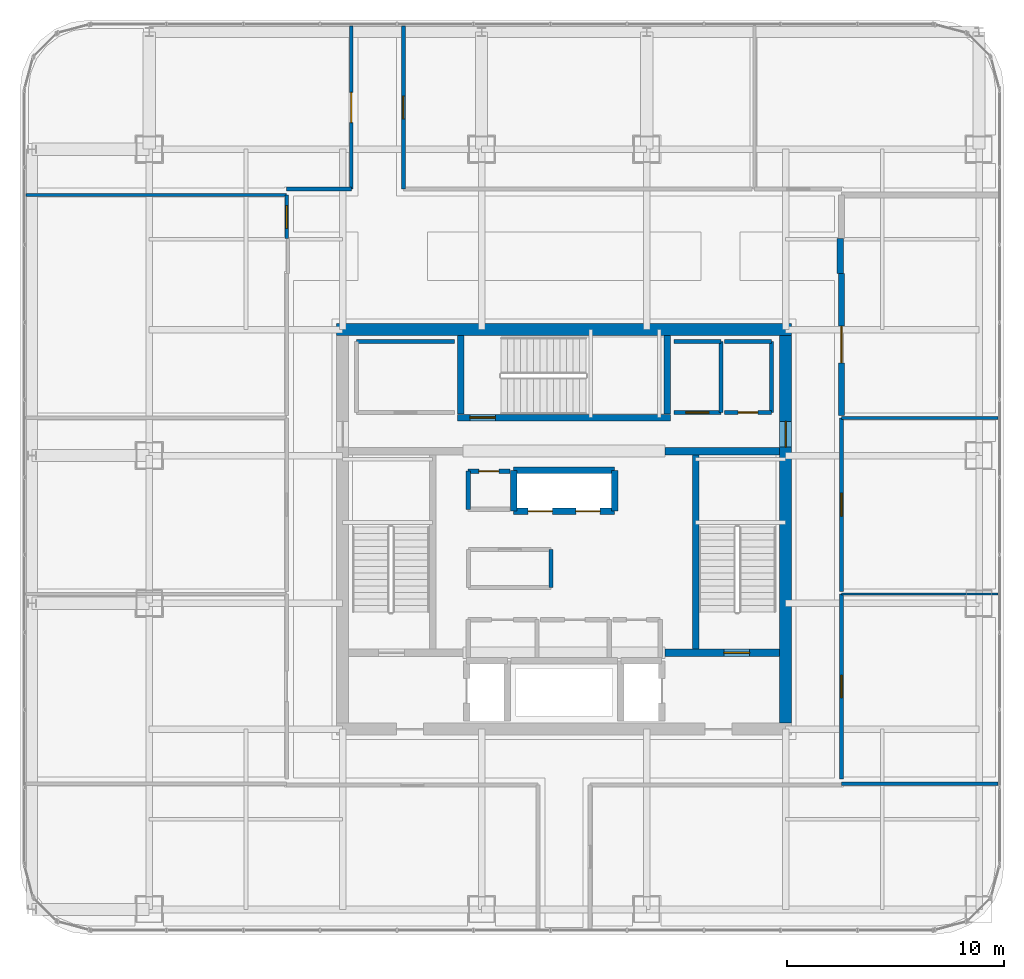
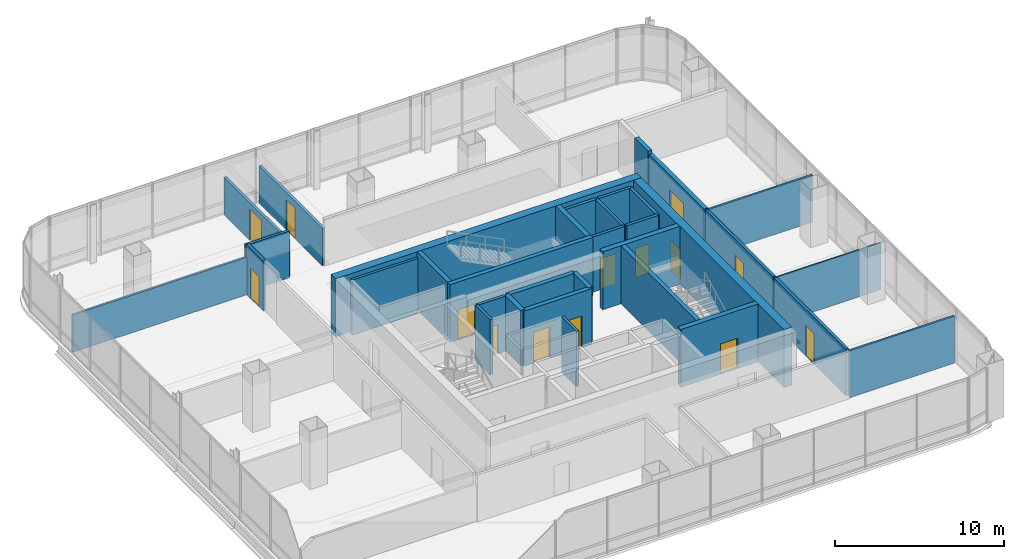
# One storey, part 35 of 41: 34 walls, 14 doors, 14 openings.
"""IFC4 building model written with IfcOpenShell, lengths in metres."""

from ifc_helpers import new_model, si_unit, direction, frame, frame_2d, origin, place, context, subcontext, project, spatial, rectangle, extrude, material, layer, layer_set, type_object, element, fill, save


model = new_model("IFC4")

# Units and contexts
model_context = context("Model", 3, precision=1e-05, world=origin(), true_north=direction((0.0, 1.0)))
body_context = subcontext(model_context, "Body", "Model", "MODEL_VIEW")
ifc_project = project(units=[si_unit("LENGTHUNIT", "METRE"), si_unit("AREAUNIT", "SQUARE_METRE"), si_unit("VOLUMEUNIT", "CUBIC_METRE"), si_unit("PLANEANGLEUNIT", "RADIAN"), si_unit("MASSUNIT", "GRAM", prefix="KILO")], contexts=[model_context])

# Site, building, storey
site_placement = place(None, origin())
site = spatial("IfcSite", under=ifc_project, at=site_placement, CompositionType="ELEMENT")
building_placement = place(site_placement, origin())
building = spatial("IfcBuilding", under=site, at=building_placement, Name="Punatoya Terracotta Tower", CompositionType="ELEMENT")
storey_placement = place(building_placement, frame((0.0, 0.0, 292.199951171875)))
storey = spatial("IfcBuildingStorey", under=building, at=storey_placement, Name="L69", CompositionType="ELEMENT", Elevation=292.199951171875)

# Wall, opening, door
ifc_material_1 = material(Name="Concrete C40/50", Category="concrete")
ifc_layer_1 = layer(ifc_material_1, 0.280029296875)
ifc_layer_set_1 = layer_set([ifc_layer_1], Name="Concrete C40/50")
wall_type_1 = type_object("IfcWallType", Name="WL-AUD-280", PredefinedType="SOLIDWALL", material=ifc_layer_set_1)
wall_1_placement = place(storey_placement, frame((12.77001953125, 5.25, 0.0), z_axis=(0.0, 0.0, 1.0), x_axis=(0.0, 1.0, 0.0)))
wall_1 = element("IfcWall", 1, at=wall_1_placement, inside=storey, type_object=wall_type_1, Name="L69 Fitness Movement Lounge Partition 42", PredefinedType="SOLIDWALL", context=body_context, shape_type="SweptSolid", body=[
    extrude(rectangle(XDim=6.52001953125, YDim=0.280029296875, at=frame_2d((3.260009765625, 0.0))), origin(), (0.0, 0.0, 1.0), 3.39404296875),
])
opening_1_placement = place(wall_1_placement, frame((2.409912109375, 0.0, 0.0)))
opening_1 = element("IfcOpeningElement", 2, at=opening_1_placement, cuts=wall_1, Name="Opening FD-D1", PredefinedType="OPENING", context=body_context, shape_type="SweptSolid", body=[
    extrude(rectangle(XDim=1.699951171875, YDim=2.300048828125, at=frame_2d((0.85009765625, 1.14990234375))), frame((0.0, 0.14990234375, 0.0), z_axis=(0.0, -1.0, 0.0), x_axis=(1.0, 0.0, 0.0)), (0.0, 0.0, 1.0), 0.300048828125),
])
ifc_material_2 = material(Name="Timber Teak Veneer Fire Leaf", Category="wood")
door_type_1 = type_object("IfcDoorType", Name="DR-DIN-1700", OperationType="NOTDEFINED", PredefinedType="DOOR", material=ifc_material_2)
door_1_placement = place(opening_1_placement, origin())
door_1 = element("IfcDoor", 3, at=door_1_placement, inside=storey, type_object=door_type_1, Name="L69 Fitness Movement Lounge Fire Door", OperationType="DOUBLE_DOOR_SINGLE_SWING", OverallHeight=2.300048828125, OverallWidth=1.699951171875, PredefinedType="DOOR", context=body_context, shape_type="SweptSolid", body=[
    extrude(rectangle(XDim=1.699951171875, YDim=2.300048828125, at=frame_2d((0.85009765625, 1.14990234375))), frame((0.0, 0.02490234375, 0.0), z_axis=(0.0, -1.0, 0.0), x_axis=(1.0, 0.0, 0.0)), (0.0, 0.0, 1.0), 0.050048828125),
])
fill(opening_1, door_1)

# Walls
wall_2_placement = place(storey_placement, frame((12.7099609375, 11.77001953125, 0.0), z_axis=(0.0, 0.0, 1.0), x_axis=(0.0, 1.0, 0.0)))
element("IfcWall", 4, at=wall_2_placement, inside=storey, type_object=wall_type_1, Name="L69 Fitness Movement Lounge Partition 43", PredefinedType="SOLIDWALL", context=body_context, shape_type="SweptSolid", body=[
    extrude(rectangle(XDim=1.60986328125, YDim=0.280029296875, at=frame_2d((0.804931640625, 0.0))), origin(), (0.0, 0.0, 1.0), 3.634033203125),
])
ifc_material_3 = material(Name="Concrete C50/60", Category="concrete")
ifc_layer_2 = layer(ifc_material_3, 0.550048828125)
ifc_layer_set_2 = layer_set([ifc_layer_2], Name="Concrete C50/60")
wall_type_2 = type_object("IfcWallType", Name="WL-COR-550", PredefinedType="SHEAR", material=ifc_layer_set_2)
wall_3_placement = place(storey_placement, frame((-10.47509765625, 9.199951171875, 0.0), z_axis=(0.0, 0.0, 1.0), x_axis=(1.0, 0.0, 0.0)))
element("IfcWall", 5, at=wall_3_placement, inside=storey, type_object=wall_type_2, Name="L69 Core Shear Wall N", PredefinedType="SHEAR", context=body_context, shape_type="SweptSolid", body=[
    extrude(rectangle(XDim=20.9501953125, YDim=0.550048828125, at=frame_2d((10.47509765625, 0.0))), origin(), (0.0, 0.0, 1.0), 4.199951171875),
])

# Wall, opening, door
wall_4_placement = place(storey_placement, frame((10.199951171875, 8.925048828125, 0.0), z_axis=(0.0, 0.0, 1.0), x_axis=(0.0, -1.0, 0.0)))
wall_4 = element("IfcWall", 6, at=wall_4_placement, inside=storey, type_object=wall_type_2, Name="L69 Core Shear Wall E", PredefinedType="SHEAR", context=body_context, shape_type="SweptSolid", body=[
    extrude(rectangle(XDim=17.85009765625, YDim=0.550048828125, at=frame_2d((8.925048828125, 0.0))), origin(), (0.0, 0.0, 1.0), 4.199951171875),
])
opening_2_placement = place(wall_4_placement, frame((3.955078125, 0.0, 0.0)))
opening_2 = element("IfcOpeningElement", 7, at=opening_2_placement, cuts=wall_4, Name="Opening SD-01", PredefinedType="OPENING", context=body_context, shape_type="SweptSolid", body=[
    extrude(rectangle(XDim=1.179931640625, YDim=2.199951171875, at=frame_2d((0.58984375, 1.10009765625))), frame((0.0, 0.284912109375, 0.0), z_axis=(0.0, -1.0, 0.0), x_axis=(1.0, 0.0, 0.0)), (0.0, 0.0, 1.0), 0.570068359375),
])
ifc_material_4 = material(Name="Galvanised Steel Pressurized Stair Fire Door", Category="steel")
door_type_2 = type_object("IfcDoorType", Name="DR-STR-1180", OperationType="NOTDEFINED", PredefinedType="DOOR", material=ifc_material_4)
door_2_placement = place(opening_2_placement, origin())
door_2 = element("IfcDoor", 8, at=door_2_placement, inside=storey, type_object=door_type_2, Name="L69 Central Lift Lobby East Fire Door", OperationType="SINGLE_SWING_RIGHT", OverallHeight=2.199951171875, OverallWidth=1.179931640625, PredefinedType="DOOR", context=body_context, shape_type="SweptSolid", body=[
    extrude(rectangle(XDim=1.179931640625, YDim=2.199951171875, at=frame_2d((0.58984375, 1.10009765625))), frame((0.0, 0.02490234375, 0.0), z_axis=(0.0, -1.0, 0.0), x_axis=(1.0, 0.0, 0.0)), (0.0, 0.0, 1.0), 0.050048828125),
])
fill(opening_2, door_2)

# Walls
ifc_material_5 = material(Name="Gypsum Fireboard + Steel Stud", Category="steel")
ifc_layer_3 = layer(ifc_material_5, 0.179931640625)
ifc_layer_set_3 = layer_set([ifc_layer_3], Name="Gypsum Fireboard + Steel Stud")
wall_type_3 = type_object("IfcWallType", Name="WL-CORR-180", PredefinedType="PARTITIONING", material=ifc_layer_set_3)
wall_5_placement = place(storey_placement, frame((-0.60009765625, -2.679931640625, 0.0), z_axis=(0.0, 0.0, 1.0), x_axis=(0.0, 1.0, 0.0)))
element("IfcWall", 9, at=wall_5_placement, inside=storey, type_object=wall_type_3, Name="L69 West Core Archive Office Partition 08", PredefinedType="PARTITIONING", context=body_context, shape_type="SweptSolid", body=[
    extrude(rectangle(XDim=1.760009765625, YDim=0.179931640625, at=frame_2d((0.8798828125, 0.0))), origin(), (0.0, 0.0, 1.0), 4.0),
])
wall_6_placement = place(storey_placement, frame((-5.050048828125, 8.64990234375, 0.0), z_axis=(0.0, 0.0, 1.0), x_axis=(-1.0, 0.0, 0.0)))
element("IfcWall", 10, at=wall_6_placement, inside=storey, type_object=wall_type_3, Name="L69 West Core Records Office Partition 15", PredefinedType="PARTITIONING", context=body_context, shape_type="SweptSolid", body=[
    extrude(rectangle(XDim=4.5, YDim=0.179931640625, at=frame_2d((2.25, 0.0))), origin(), (0.0, 0.0, 1.0), 4.0),
])

# Wall, opening, door
wall_7_placement = place(storey_placement, frame((12.77001953125, -11.489990234375, 0.0), z_axis=(0.0, 0.0, 1.0), x_axis=(0.0, 1.0, 0.0)))
wall_7 = element("IfcWall", 11, at=wall_7_placement, inside=storey, type_object=wall_type_3, Name="L69 Open-Plan Leadership Training Classroom Partition 32", PredefinedType="PARTITIONING", context=body_context, shape_type="SweptSolid", body=[
    extrude(rectangle(XDim=8.52001953125, YDim=0.179931640625, at=frame_2d((4.260009765625, 0.0))), origin(), (0.0, 0.0, 1.0), 3.39404296875),
])
opening_3_placement = place(wall_7_placement, frame((3.75, 0.0, 0.0)))
opening_3 = element("IfcOpeningElement", 12, at=opening_3_placement, cuts=wall_7, Name="Opening MD-01", PredefinedType="OPENING", context=body_context, shape_type="SweptSolid", body=[
    extrude(rectangle(XDim=1.02001953125, YDim=2.199951171875, at=frame_2d((0.510009765625, 1.10009765625))), frame((0.0, 0.099853515625, 0.0), z_axis=(0.0, -1.0, 0.0), x_axis=(1.0, 0.0, 0.0)), (0.0, 0.0, 1.0), 0.199951171875),
])
ifc_material_6 = material(Name="Aluminium + Acoustic Glass Leaf", Category="aluminium")
door_type_3 = type_object("IfcDoorType", Name="DR-MTG-1020", OperationType="NOTDEFINED", PredefinedType="DOOR", material=ifc_material_6)
door_3_placement = place(opening_3_placement, origin())
door_3 = element("IfcDoor", 13, at=door_3_placement, inside=storey, type_object=door_type_3, Name="L69 Open-Plan Leadership Training Classroom Door", OperationType="SINGLE_SWING_RIGHT", OverallHeight=2.199951171875, OverallWidth=1.02001953125, PredefinedType="DOOR", context=body_context, shape_type="SweptSolid", body=[
    extrude(rectangle(XDim=1.02001953125, YDim=2.199951171875, at=frame_2d((0.510009765625, 1.10009765625))), frame((0.0, 0.02490234375, 0.0), z_axis=(0.0, -1.0, 0.0), x_axis=(1.0, 0.0, 0.0)), (0.0, 0.0, 1.0), 0.050048828125),
])
fill(opening_3, door_3)

wall_8_placement = place(storey_placement, frame((12.77001953125, -2.85009765625, 0.0), z_axis=(0.0, 0.0, 1.0), x_axis=(0.0, 1.0, 0.0)))
wall_8 = element("IfcWall", 14, at=wall_8_placement, inside=storey, type_object=wall_type_3, Name="L69 Open-Plan Mindfulness Wellness Room Partition 36", PredefinedType="PARTITIONING", context=body_context, shape_type="SweptSolid", body=[
    extrude(rectangle(XDim=7.97998046875, YDim=0.179931640625, at=frame_2d((3.989990234375, 0.0))), origin(), (0.0, 0.0, 1.0), 3.39404296875),
])
opening_4_placement = place(wall_8_placement, frame((3.465087890625, 0.0, 0.0)))
opening_4 = element("IfcOpeningElement", 15, at=opening_4_placement, cuts=wall_8, Name="Opening OD-01", PredefinedType="OPENING", context=body_context, shape_type="SweptSolid", body=[
    extrude(rectangle(XDim=1.050048828125, YDim=2.199951171875, at=frame_2d((0.52490234375, 1.10009765625))), frame((0.0, 0.099853515625, 0.0), z_axis=(0.0, -1.0, 0.0), x_axis=(1.0, 0.0, 0.0)), (0.0, 0.0, 1.0), 0.199951171875),
])
ifc_material_7 = material(Name="Bengal Teak Solid-Core Leaf")
door_type_4 = type_object("IfcDoorType", Name="DR-OFF-1050", OperationType="NOTDEFINED", PredefinedType="DOOR", material=ifc_material_7)
door_4_placement = place(opening_4_placement, origin())
door_4 = element("IfcDoor", 16, at=door_4_placement, inside=storey, type_object=door_type_4, Name="L69 Open-Plan Mindfulness Wellness Room Door", OperationType="SINGLE_SWING_RIGHT", OverallHeight=2.199951171875, OverallWidth=1.050048828125, PredefinedType="DOOR", context=body_context, shape_type="SweptSolid", body=[
    extrude(rectangle(XDim=1.050048828125, YDim=2.199951171875, at=frame_2d((0.52490234375, 1.10009765625))), frame((0.0, 0.02490234375, 0.0), z_axis=(0.0, -1.0, 0.0), x_axis=(1.0, 0.0, 0.0)), (0.0, 0.0, 1.0), 0.050048828125),
])
fill(opening_4, door_4)

wall_9_placement = place(storey_placement, frame((-12.77001953125, 15.389892578125, 0.0), z_axis=(0.0, 0.0, 1.0), x_axis=(0.0, -1.0, 0.0)))
wall_9 = element("IfcWall", 17, at=wall_9_placement, inside=storey, type_object=wall_type_3, Name="L69 Cultural Reading Library Partition 39", PredefinedType="PARTITIONING", context=body_context, shape_type="SweptSolid", body=[
    extrude(rectangle(XDim=2.010009765625, YDim=0.179931640625, at=frame_2d((1.0048828125, 0.0))), origin(), (0.0, 0.0, 1.0), 3.634033203125),
])
opening_5_placement = place(wall_9_placement, frame((0.47998046875, 0.0, 0.0)))
opening_5 = element("IfcOpeningElement", 18, at=opening_5_placement, cuts=wall_9, Name="Opening OD-01", PredefinedType="OPENING", context=body_context, shape_type="SweptSolid", body=[
    extrude(rectangle(XDim=1.050048828125, YDim=2.199951171875, at=frame_2d((0.52490234375, 1.10009765625))), frame((0.0, 0.099853515625, 0.0), z_axis=(0.0, -1.0, 0.0), x_axis=(1.0, 0.0, 0.0)), (0.0, 0.0, 1.0), 0.199951171875),
])
door_5_placement = place(opening_5_placement, origin())
door_5 = element("IfcDoor", 19, at=door_5_placement, inside=storey, type_object=door_type_4, Name="L69 Cultural Reading Library Door", OperationType="SINGLE_SWING_LEFT", OverallHeight=2.199951171875, OverallWidth=1.050048828125, PredefinedType="DOOR", context=body_context, shape_type="SweptSolid", body=[
    extrude(rectangle(XDim=1.050048828125, YDim=2.199951171875, at=frame_2d((0.52490234375, 1.10009765625))), frame((0.0, 0.02490234375, 0.0), z_axis=(0.0, -1.0, 0.0), x_axis=(1.0, 0.0, 0.0)), (0.0, 0.0, 1.0), 0.050048828125),
])
fill(opening_5, door_5)

wall_10_placement = place(storey_placement, frame((-9.800048828125, 23.169921875, 0.0), z_axis=(0.0, 0.0, 1.0), x_axis=(0.0, -1.0, 0.0)))
wall_10 = element("IfcWall", 20, at=wall_10_placement, inside=storey, type_object=wall_type_3, Name="L69 Open-Plan Seminar Discussion Room Partition 46", PredefinedType="PARTITIONING", context=body_context, shape_type="SweptSolid", body=[
    extrude(rectangle(XDim=7.5, YDim=0.179931640625, at=frame_2d((3.75, 0.0))), origin(), (0.0, 0.0, 1.0), 2.714111328125),
])
opening_6_placement = place(wall_10_placement, frame((3.050048828125, 0.0, 0.0)))
opening_6 = element("IfcOpeningElement", 21, at=opening_6_placement, cuts=wall_10, Name="Opening BD-01", PredefinedType="OPENING", context=body_context, shape_type="SweptSolid", body=[
    extrude(rectangle(XDim=1.39990234375, YDim=2.25, at=frame_2d((0.699951171875, 1.125))), frame((0.0, 0.099853515625, 0.0), z_axis=(0.0, -1.0, 0.0), x_axis=(1.0, 0.0, 0.0)), (0.0, 0.0, 1.0), 0.199951171875),
])
ifc_material_8 = material(Name="Bengal Teak Acoustic Leaf")
door_type_5 = type_object("IfcDoorType", Name="DR-BRD-1400", OperationType="NOTDEFINED", PredefinedType="DOOR", material=ifc_material_8)
door_6_placement = place(opening_6_placement, origin())
door_6 = element("IfcDoor", 22, at=door_6_placement, inside=storey, type_object=door_type_5, Name="L69 Open-Plan Seminar Discussion Room Door", OperationType="SINGLE_SWING_LEFT", OverallHeight=2.25, OverallWidth=1.39990234375, PredefinedType="DOOR", context=body_context, shape_type="SweptSolid", body=[
    extrude(rectangle(XDim=1.39990234375, YDim=2.25, at=frame_2d((0.699951171875, 1.125))), frame((0.0, 0.02490234375, 0.0), z_axis=(0.0, -1.0, 0.0), x_axis=(1.0, 0.0, 0.0)), (0.0, 0.0, 1.0), 0.050048828125),
])
fill(opening_6, door_6)

# Wall
wall_11_placement = place(storey_placement, frame((-9.800048828125, 15.669921875, 0.0), z_axis=(0.0, 0.0, 1.0), x_axis=(-1.0, 0.0, 0.0)))
element("IfcWall", 23, at=wall_11_placement, inside=storey, type_object=wall_type_3, Name="L69 Open-Plan Seminar Discussion Room Partition 47", PredefinedType="PARTITIONING", context=body_context, shape_type="SweptSolid", body=[
    extrude(rectangle(XDim=2.969970703125, YDim=0.179931640625, at=frame_2d((1.48486328125, 0.0))), origin(), (0.0, 0.0, 1.0), 3.39404296875),
])

# Wall, opening, door
wall_12_placement = place(storey_placement, frame((-7.39990234375, 15.669921875, 0.0), z_axis=(0.0, 0.0, 1.0), x_axis=(0.0, 1.0, 0.0)))
wall_12 = element("IfcWall", 24, at=wall_12_placement, inside=storey, type_object=wall_type_3, Name="L69 Open-Plan Staff Wellness Studio Partition 50", PredefinedType="PARTITIONING", context=body_context, shape_type="SweptSolid", body=[
    extrude(rectangle(XDim=7.5, YDim=0.179931640625, at=frame_2d((3.75, 0.0))), origin(), (0.0, 0.0, 1.0), 2.714111328125),
])
opening_7_placement = place(wall_12_placement, frame((3.22509765625, 0.0, 0.0)))
opening_7 = element("IfcOpeningElement", 25, at=opening_7_placement, cuts=wall_12, Name="Opening OD-01", PredefinedType="OPENING", context=body_context, shape_type="SweptSolid", body=[
    extrude(rectangle(XDim=1.050048828125, YDim=2.199951171875, at=frame_2d((0.52490234375, 1.10009765625))), frame((0.0, 0.099853515625, 0.0), z_axis=(0.0, -1.0, 0.0), x_axis=(1.0, 0.0, 0.0)), (0.0, 0.0, 1.0), 0.199951171875),
])
door_7_placement = place(opening_7_placement, origin())
door_7 = element("IfcDoor", 26, at=door_7_placement, inside=storey, type_object=door_type_4, Name="L69 Open-Plan Staff Wellness Studio Door", OperationType="SINGLE_SWING_LEFT", OverallHeight=2.199951171875, OverallWidth=1.050048828125, PredefinedType="DOOR", context=body_context, shape_type="SweptSolid", body=[
    extrude(rectangle(XDim=1.050048828125, YDim=2.199951171875, at=frame_2d((0.52490234375, 1.10009765625))), frame((0.0, 0.02490234375, 0.0), z_axis=(0.0, -1.0, 0.0), x_axis=(1.0, 0.0, 0.0)), (0.0, 0.0, 1.0), 0.050048828125),
])
fill(opening_7, door_7)

# Wall
ifc_material_9 = material(Name="Aluminium Framed Acoustic Glass Partition", Category="aluminium")
ifc_layer_4 = layer(ifc_material_9, 0.10009765625)
ifc_layer_set_4 = layer_set([ifc_layer_4], Name="Aluminium Framed Acoustic Glass Partition")
wall_type_4 = type_object("IfcWallType", Name="WL-GLZ-100", PredefinedType="PARTITIONING", material=ifc_layer_set_4)
wall_13_placement = place(storey_placement, frame((12.77001953125, -2.969970703125, 0.0), z_axis=(0.0, 0.0, 1.0), x_axis=(1.0, 0.0, 0.0)))
element("IfcWall", 27, at=wall_13_placement, inside=storey, type_object=wall_type_4, Name="L69 Open-Plan Leadership Training Classroom Partition 33", PredefinedType="PARTITIONING", context=body_context, shape_type="SweptSolid", body=[
    extrude(rectangle(XDim=7.199951171875, YDim=0.10009765625, at=frame_2d((3.60009765625, 0.0))), origin(), (0.0, 0.0, 1.0), 3.39404296875),
])

# Wall, opening, door
ifc_layer_5 = layer(ifc_material_1, 0.199951171875)
ifc_layer_set_5 = layer_set([ifc_layer_5], Name="Concrete C40/50")
wall_type_5 = type_object("IfcWallType", Name="WL-INT-200", PredefinedType="SOLIDWALL", material=ifc_layer_set_5)
wall_14_placement = place(storey_placement, frame((-2.5, 2.679931640625, 0.0), z_axis=(0.0, 0.0, 1.0), x_axis=(-1.0, 0.0, 0.0)))
wall_14 = element("IfcWall", 28, at=wall_14_placement, inside=storey, type_object=wall_type_5, Name="L69 Core Security Equipment Closet Partition 12", PredefinedType="SOLIDWALL", context=body_context, shape_type="SweptSolid", body=[
    extrude(rectangle(XDim=1.919921875, YDim=0.199951171875, at=frame_2d((0.9599609375, 0.0))), origin(), (0.0, 0.0, 1.0), 4.0),
])
opening_8_placement = place(wall_14_placement, frame((0.5, 0.0, 0.0)))
opening_8 = element("IfcOpeningElement", 29, at=opening_8_placement, cuts=wall_14, Name="Opening FD-R1", PredefinedType="OPENING", context=body_context, shape_type="SweptSolid", body=[
    extrude(rectangle(XDim=0.919921875, YDim=2.10009765625, at=frame_2d((0.4599609375, 1.050048828125))), frame((0.0, 0.10986328125, 0.0), z_axis=(0.0, -1.0, 0.0), x_axis=(1.0, 0.0, 0.0)), (0.0, 0.0, 1.0), 0.219970703125),
])
ifc_material_10 = material(Name="Galvanised Steel Riser Fire Access Door", Category="steel")
door_type_6 = type_object("IfcDoorType", Name="DR-RSR-920", OperationType="NOTDEFINED", PredefinedType="DOOR", material=ifc_material_10)
door_8_placement = place(opening_8_placement, origin())
door_8 = element("IfcDoor", 30, at=door_8_placement, inside=storey, type_object=door_type_6, Name="L69 Core Security Equipment Closet Fire Door", OperationType="SINGLE_SWING_LEFT", OverallHeight=2.10009765625, OverallWidth=0.919921875, PredefinedType="DOOR", context=body_context, shape_type="SweptSolid", body=[
    extrude(rectangle(XDim=0.919921875, YDim=2.10009765625, at=frame_2d((0.4599609375, 1.050048828125))), frame((0.0, 0.02490234375, 0.0), z_axis=(0.0, -1.0, 0.0), x_axis=(1.0, 0.0, 0.0)), (0.0, 0.0, 1.0), 0.050048828125),
])
fill(opening_8, door_8)

# Walls
wall_15_placement = place(storey_placement, frame((-4.419921875, 2.679931640625, 0.0), z_axis=(0.0, 0.0, 1.0), x_axis=(0.0, -1.0, 0.0)))
element("IfcWall", 31, at=wall_15_placement, inside=storey, type_object=wall_type_5, Name="L69 Core Security Equipment Closet Partition 13", PredefinedType="SOLIDWALL", context=body_context, shape_type="SweptSolid", body=[
    extrude(rectangle(XDim=1.760009765625, YDim=0.199951171875, at=frame_2d((0.8798828125, 0.0))), origin(), (0.0, 0.0, 1.0), 4.0),
])
wall_16_placement = place(storey_placement, frame((7.219970703125, 5.3798828125, 0.0), z_axis=(0.0, 0.0, 1.0), x_axis=(0.0, 1.0, 0.0)))
element("IfcWall", 32, at=wall_16_placement, inside=storey, type_object=wall_type_5, Name="L69 East Core Pantry Partition 18", PredefinedType="SOLIDWALL", context=body_context, shape_type="SweptSolid", body=[
    extrude(rectangle(XDim=3.27001953125, YDim=0.199951171875, at=frame_2d((1.635009765625, 0.0))), origin(), (0.0, 0.0, 1.0), 4.0),
])
wall_17_placement = place(storey_placement, frame((7.219970703125, 8.64990234375, 0.0), z_axis=(0.0, 0.0, 1.0), x_axis=(-1.0, 0.0, 0.0)))
element("IfcWall", 33, at=wall_17_placement, inside=storey, type_object=wall_type_5, Name="L69 East Core Pantry Partition 19", PredefinedType="SOLIDWALL", context=body_context, shape_type="SweptSolid", body=[
    extrude(rectangle(XDim=2.169921875, YDim=0.199951171875, at=frame_2d((1.0849609375, 0.0))), origin(), (0.0, 0.0, 1.0), 4.0),
])

# Wall, opening, door
wall_18_placement = place(storey_placement, frame((5.050048828125, 5.3798828125, 0.0), z_axis=(0.0, 0.0, 1.0), x_axis=(1.0, 0.0, 0.0)))
wall_18 = element("IfcWall", 34, at=wall_18_placement, inside=storey, type_object=wall_type_5, Name="L69 East Core Pantry Partition 20", PredefinedType="SOLIDWALL", context=body_context, shape_type="SweptSolid", body=[
    extrude(rectangle(XDim=2.169921875, YDim=0.199951171875, at=frame_2d((1.0849609375, 0.0))), origin(), (0.0, 0.0, 1.0), 4.0),
])
opening_9_placement = place(wall_18_placement, frame((0.56005859375, 0.0, 0.0)))
opening_9 = element("IfcOpeningElement", 35, at=opening_9_placement, cuts=wall_18, Name="Opening OD-01", PredefinedType="OPENING", context=body_context, shape_type="SweptSolid", body=[
    extrude(rectangle(XDim=1.050048828125, YDim=2.199951171875, at=frame_2d((0.52490234375, 1.10009765625))), frame((0.0, 0.10986328125, 0.0), z_axis=(0.0, -1.0, 0.0), x_axis=(1.0, 0.0, 0.0)), (0.0, 0.0, 1.0), 0.219970703125),
])
door_9_placement = place(opening_9_placement, origin())
door_9 = element("IfcDoor", 36, at=door_9_placement, inside=storey, type_object=door_type_4, Name="L69 East Pantry Door", OperationType="SINGLE_SWING_LEFT", OverallHeight=2.199951171875, OverallWidth=1.050048828125, PredefinedType="DOOR", context=body_context, shape_type="SweptSolid", body=[
    extrude(rectangle(XDim=1.050048828125, YDim=2.199951171875, at=frame_2d((0.52490234375, 1.10009765625))), frame((0.0, 0.02490234375, 0.0), z_axis=(0.0, -1.0, 0.0), x_axis=(1.0, 0.0, 0.0)), (0.0, 0.0, 1.0), 0.050048828125),
])
fill(opening_9, door_9)

# Walls
wall_19_placement = place(storey_placement, frame((9.550048828125, 5.3798828125, 0.0), z_axis=(0.0, 0.0, 1.0), x_axis=(0.0, 1.0, 0.0)))
element("IfcWall", 37, at=wall_19_placement, inside=storey, type_object=wall_type_5, Name="L69 East Core Store Partition 21", PredefinedType="SOLIDWALL", context=body_context, shape_type="SweptSolid", body=[
    extrude(rectangle(XDim=3.27001953125, YDim=0.199951171875, at=frame_2d((1.635009765625, 0.0))), origin(), (0.0, 0.0, 1.0), 4.0),
])
wall_20_placement = place(storey_placement, frame((9.550048828125, 8.64990234375, 0.0), z_axis=(0.0, 0.0, 1.0), x_axis=(-1.0, 0.0, 0.0)))
element("IfcWall", 38, at=wall_20_placement, inside=storey, type_object=wall_type_5, Name="L69 East Core Store Partition 22", PredefinedType="SOLIDWALL", context=body_context, shape_type="SweptSolid", body=[
    extrude(rectangle(XDim=2.170166015625, YDim=0.199951171875, at=frame_2d((1.0849609375, 0.0))), origin(), (0.0, 0.0, 1.0), 4.0),
])

# Wall, opening, door
wall_21_placement = place(storey_placement, frame((7.3798828125, 5.3798828125, 0.0), z_axis=(0.0, 0.0, 1.0), x_axis=(1.0, 0.0, 0.0)))
wall_21 = element("IfcWall", 39, at=wall_21_placement, inside=storey, type_object=wall_type_5, Name="L69 East Core Store Partition 23", PredefinedType="SOLIDWALL", context=body_context, shape_type="SweptSolid", body=[
    extrude(rectangle(XDim=2.170166015625, YDim=0.199951171875, at=frame_2d((1.0849609375, 0.0))), origin(), (0.0, 0.0, 1.0), 4.0),
])
opening_10_placement = place(wall_21_placement, frame((0.625, 0.0, 0.0)))
opening_10 = element("IfcOpeningElement", 40, at=opening_10_placement, cuts=wall_21, Name="Opening FD-R1", PredefinedType="OPENING", context=body_context, shape_type="SweptSolid", body=[
    extrude(rectangle(XDim=0.919921875, YDim=2.10009765625, at=frame_2d((0.4599609375, 1.050048828125))), frame((0.0, 0.10986328125, 0.0), z_axis=(0.0, -1.0, 0.0), x_axis=(1.0, 0.0, 0.0)), (0.0, 0.0, 1.0), 0.219970703125),
])
door_10_placement = place(opening_10_placement, origin())
door_10 = element("IfcDoor", 41, at=door_10_placement, inside=storey, type_object=door_type_6, Name="L69 East Core Store Fire Door", OperationType="SINGLE_SWING_RIGHT", OverallHeight=2.10009765625, OverallWidth=0.919921875, PredefinedType="DOOR", context=body_context, shape_type="SweptSolid", body=[
    extrude(rectangle(XDim=0.919921875, YDim=2.10009765625, at=frame_2d((0.4599609375, 1.050048828125))), frame((0.0, 0.02490234375, 0.0), z_axis=(0.0, -1.0, 0.0), x_axis=(1.0, 0.0, 0.0)), (0.0, 0.0, 1.0), 0.050048828125),
])
fill(opening_10, door_10)

# Walls
ifc_material_11 = material(Name="Acoustic Gypsum + Steel Stud", Category="steel")
ifc_layer_6 = layer(ifc_material_11, 0.139892578125)
ifc_layer_set_6 = layer_set([ifc_layer_6], Name="Acoustic Gypsum + Steel Stud")
wall_type_6 = type_object("IfcWallType", Name="WL-OFF-140", PredefinedType="PARTITIONING", material=ifc_layer_set_6)
for number, where, z_axis, x_axis, name in (
    (42, (12.77001953125, -11.7099609375, 0.0), (0.0, 0.0, 1.0), (1.0, 0.0, 0.0), "L69 Open-Plan Occupational Rest Lounge Partition 29"),
    (43, (12.77001953125, 5.1298828125, 0.0), (0.0, 0.0, 1.0), (1.0, 0.0, 0.0), "L69 Open-Plan Mindfulness Wellness Room Partition 37"),
):
    element("IfcWall", number, at=place(storey_placement, frame(where, z_axis=z_axis, x_axis=x_axis)), inside=storey, type_object=wall_type_6, Name=name, PredefinedType="PARTITIONING", context=body_context, shape_type="SweptSolid", body=[
        extrude(rectangle(XDim=7.199951171875, YDim=0.139892578125, at=frame_2d((3.60009765625, 0.0))), origin(), (0.0, 0.0, 1.0), 3.39404296875),
    ])
wall_22_placement = place(storey_placement, frame((-24.77001953125, 15.389892578125, 0.0), z_axis=(0.0, 0.0, 1.0), x_axis=(1.0, 0.0, 0.0)))
element("IfcWall", 44, at=wall_22_placement, inside=storey, type_object=wall_type_6, Name="L69 Cultural Reading Library Partition 38", PredefinedType="PARTITIONING", context=body_context, shape_type="SweptSolid", body=[
    extrude(rectangle(XDim=12.0, YDim=0.139892578125, at=frame_2d((6.0, 0.0))), origin(), (0.0, 0.0, 1.0), 2.714111328125),
])
ifc_layer_7 = layer(ifc_material_1, 0.300048828125)
ifc_layer_set_7 = layer_set([ifc_layer_7], Name="Concrete C40/50")
wall_type_7 = type_object("IfcWallType", Name="WL-SHF-300", PredefinedType="SOLIDWALL", material=ifc_layer_set_7)
wall_23_placement = place(storey_placement, frame((6.050048828125, 3.449951171875, 0.0), z_axis=(0.0, 0.0, 1.0), x_axis=(0.0, -1.0, 0.0)))
element("IfcWall", 45, at=wall_23_placement, inside=storey, type_object=wall_type_7, Name="L69 Structural Stair Shaft Wall SW-ST2-W", PredefinedType="SOLIDWALL", context=body_context, shape_type="SweptSolid", body=[
    extrude(rectangle(XDim=8.949951171875, YDim=0.300048828125, at=frame_2d((4.47509765625, 0.0))), origin(), (0.0, 0.0, 1.0), 4.199951171875),
])
for number, where, z_axis, x_axis, name in (
    (46, (-4.75, 5.300048828125, 0.0), (0.0, 0.0, 1.0), (0.0, 1.0, 0.0), "L69 Structural Stair Shaft Wall SW-ST3-W"),
    (47, (4.75, 8.925048828125, 0.0), (0.0, 0.0, 1.0), (0.0, -1.0, 0.0), "L69 Structural Stair Shaft Wall SW-ST3-E"),
):
    element("IfcWall", number, at=place(storey_placement, frame(where, z_axis=z_axis, x_axis=x_axis)), inside=storey, type_object=wall_type_7, Name=name, PredefinedType="SOLIDWALL", context=body_context, shape_type="SweptSolid", body=[
        extrude(rectangle(XDim=3.625, YDim=0.300048828125, at=frame_2d((1.8125, 0.0))), origin(), (0.0, 0.0, 1.0), 4.199951171875),
    ])

# Wall, opening, door
wall_24_placement = place(storey_placement, frame((-4.89990234375, 5.14990234375, 0.0), z_axis=(0.0, 0.0, 1.0), x_axis=(1.0, 0.0, 0.0)))
wall_24 = element("IfcWall", 48, at=wall_24_placement, inside=storey, type_object=wall_type_7, Name="L69 Structural Stair Shaft Wall SW-ST3-S", PredefinedType="SOLIDWALL", context=body_context, shape_type="SweptSolid", body=[
    extrude(rectangle(XDim=9.7998046875, YDim=0.300048828125, at=frame_2d((4.89990234375, 0.0))), origin(), (0.0, 0.0, 1.0), 4.199951171875),
])
opening_11_placement = place(wall_24_placement, frame((0.56005859375, 0.0, 0.0)))
opening_11 = element("IfcOpeningElement", 49, at=opening_11_placement, cuts=wall_24, Name="Opening SD-01", PredefinedType="OPENING", context=body_context, shape_type="SweptSolid", body=[
    extrude(rectangle(XDim=1.179931640625, YDim=2.199951171875, at=frame_2d((0.58984375, 1.10009765625))), frame((0.0, 0.159912109375, 0.0), z_axis=(0.0, -1.0, 0.0), x_axis=(1.0, 0.0, 0.0)), (0.0, 0.0, 1.0), 0.320068359375),
])
door_11_placement = place(opening_11_placement, origin())
door_11 = element("IfcDoor", 50, at=door_11_placement, inside=storey, type_object=door_type_2, Name="L69 Stair ST-3 Core Lobby Fire Door", OperationType="SINGLE_SWING_LEFT", OverallHeight=2.199951171875, OverallWidth=1.179931640625, PredefinedType="DOOR", context=body_context, shape_type="SweptSolid", body=[
    extrude(rectangle(XDim=1.179931640625, YDim=2.199951171875, at=frame_2d((0.58984375, 1.10009765625))), frame((0.0, 0.02490234375, 0.0), z_axis=(0.0, -1.0, 0.0), x_axis=(1.0, 0.0, 0.0)), (0.0, 0.0, 1.0), 0.050048828125),
])
fill(opening_11, door_11)

# Wall, openings, doors
wall_25_placement = place(storey_placement, frame((-2.320068359375, 0.840087890625, 0.0), z_axis=(0.0, 0.0, 1.0), x_axis=(1.0, 0.0, 0.0)))
wall_25 = element("IfcWall", 51, at=wall_25_placement, inside=storey, type_object=wall_type_7, Name="L69 North Lift Bank Front Shaft Wall", PredefinedType="SOLIDWALL", context=body_context, shape_type="SweptSolid", body=[
    extrude(rectangle(XDim=4.64013671875, YDim=0.300048828125, at=frame_2d((2.320068359375, 0.0))), origin(), (0.0, 0.0, 1.0), 4.0),
])
opening_12_placement = place(wall_25_placement, frame((0.659912109375, 0.0, 0.0)))
opening_12 = element("IfcOpeningElement", 52, at=opening_12_placement, cuts=wall_25, Name="Opening LD-02", PredefinedType="OPENING", context=body_context, shape_type="SweptSolid", body=[
    extrude(rectangle(XDim=1.1201171875, YDim=2.25, at=frame_2d((0.56005859375, 1.125))), frame((0.0, 0.159912109375, 0.0), z_axis=(0.0, -1.0, 0.0), x_axis=(1.0, 0.0, 0.0)), (0.0, 0.0, 1.0), 0.320068359375),
])
opening_13_placement = place(wall_25_placement, frame((2.860107421875, 0.0, 0.0)))
opening_13 = element("IfcOpeningElement", 53, at=opening_13_placement, cuts=wall_25, Name="Opening LD-02", PredefinedType="OPENING", context=body_context, shape_type="SweptSolid", body=[
    extrude(rectangle(XDim=1.1201171875, YDim=2.25, at=frame_2d((0.56005859375, 1.125))), frame((0.0, 0.159912109375, 0.0), z_axis=(0.0, -1.0, 0.0), x_axis=(1.0, 0.0, 0.0)), (0.0, 0.0, 1.0), 0.320068359375),
])
ifc_material_12 = material(Name="Stainless Steel Lift Landing Door", Category="steel")
door_type_7 = type_object("IfcDoorType", Name="DR-LND-1120", OperationType="NOTDEFINED", PredefinedType="DOOR", material=ifc_material_12)
door_12_placement = place(opening_12_placement, origin())
door_12 = element("IfcDoor", 54, at=door_12_placement, inside=storey, type_object=door_type_7, Name="L69 Lift PL-E1 Sliding Landing Door", OperationType="DOUBLE_DOOR_SLIDING", OverallHeight=2.25, OverallWidth=1.1201171875, PredefinedType="DOOR", context=body_context, shape_type="SweptSolid", body=[
    extrude(rectangle(XDim=1.1201171875, YDim=2.25, at=frame_2d((0.56005859375, 1.125))), frame((0.0, 0.02490234375, 0.0), z_axis=(0.0, -1.0, 0.0), x_axis=(1.0, 0.0, 0.0)), (0.0, 0.0, 1.0), 0.050048828125),
])
fill(opening_12, door_12)
door_13_placement = place(opening_13_placement, origin())
door_13 = element("IfcDoor", 55, at=door_13_placement, inside=storey, type_object=door_type_7, Name="L69 Lift PL-E2 Sliding Landing Door", OperationType="DOUBLE_DOOR_SLIDING", OverallHeight=2.25, OverallWidth=1.1201171875, PredefinedType="DOOR", context=body_context, shape_type="SweptSolid", body=[
    extrude(rectangle(XDim=1.1201171875, YDim=2.25, at=frame_2d((0.56005859375, 1.125))), frame((0.0, 0.02490234375, 0.0), z_axis=(0.0, -1.0, 0.0), x_axis=(1.0, 0.0, 0.0)), (0.0, 0.0, 1.0), 0.050048828125),
])
fill(opening_13, door_13)

# Walls
wall_26_placement = place(storey_placement, frame((-2.320068359375, 2.719970703125, 0.0), z_axis=(0.0, 0.0, 1.0), x_axis=(1.0, 0.0, 0.0)))
element("IfcWall", 56, at=wall_26_placement, inside=storey, type_object=wall_type_7, Name="L69 North Lift Bank Rear Shaft Wall", PredefinedType="SOLIDWALL", context=body_context, shape_type="SweptSolid", body=[
    extrude(rectangle(XDim=4.64013671875, YDim=0.300048828125, at=frame_2d((2.320068359375, 0.0))), origin(), (0.0, 0.0, 1.0), 4.0),
])
for number, where, z_axis, x_axis, name in (
    (57, (-2.320068359375, 0.840087890625, 0.0), (0.0, 0.0, 1.0), (0.0, 1.0, 0.0), "L69 North Lift Bank West End Wall"),
    (58, (2.320068359375, 0.840087890625, 0.0), (0.0, 0.0, 1.0), (0.0, 1.0, 0.0), "L69 North Lift Bank East End Wall"),
):
    element("IfcWall", number, at=place(storey_placement, frame(where, z_axis=z_axis, x_axis=x_axis)), inside=storey, type_object=wall_type_7, Name=name, PredefinedType="SOLIDWALL", context=body_context, shape_type="SweptSolid", body=[
        extrude(rectangle(XDim=1.8798828125, YDim=0.300048828125, at=frame_2d((0.93994140625, 0.0))), origin(), (0.0, 0.0, 1.0), 4.0),
    ])

# Wall, opening, door
ifc_layer_8 = layer(ifc_material_3, 0.35009765625)
ifc_layer_set_8 = layer_set([ifc_layer_8], Name="Concrete C50/60")
wall_type_8 = type_object("IfcWallType", Name="WL-SHF-350", PredefinedType="SOLIDWALL", material=ifc_layer_set_8)
wall_27_placement = place(storey_placement, frame((4.64990234375, -5.679931640625, 0.0), z_axis=(0.0, 0.0, 1.0), x_axis=(1.0, 0.0, 0.0)))
wall_27 = element("IfcWall", 59, at=wall_27_placement, inside=storey, type_object=wall_type_8, Name="L69 Core Web Wall CSW-R", PredefinedType="SOLIDWALL", context=body_context, shape_type="SweptSolid", body=[
    extrude(rectangle(XDim=5.275146484375, YDim=0.35009765625, at=frame_2d((2.6376953125, 0.0))), origin(), (0.0, 0.0, 1.0), 4.199951171875),
])
opening_14_placement = place(wall_27_placement, frame((2.7099609375, 0.0, 0.0)))
opening_14 = element("IfcOpeningElement", 60, at=opening_14_placement, cuts=wall_27, Name="Opening SD-01", PredefinedType="OPENING", context=body_context, shape_type="SweptSolid", body=[
    extrude(rectangle(XDim=1.179931640625, YDim=2.199951171875, at=frame_2d((0.58984375, 1.10009765625))), frame((0.0, 0.18505859375, 0.0), z_axis=(0.0, -1.0, 0.0), x_axis=(1.0, 0.0, 0.0)), (0.0, 0.0, 1.0), 0.3701171875),
])
door_14_placement = place(opening_14_placement, origin())
door_14 = element("IfcDoor", 61, at=door_14_placement, inside=storey, type_object=door_type_2, Name="L69 Stair ST-2 Smokeproof Lobby Fire Door", OperationType="SINGLE_SWING_RIGHT", OverallHeight=2.199951171875, OverallWidth=1.179931640625, PredefinedType="DOOR", context=body_context, shape_type="SweptSolid", body=[
    extrude(rectangle(XDim=1.179931640625, YDim=2.199951171875, at=frame_2d((0.58984375, 1.10009765625))), frame((0.0, 0.02490234375, 0.0), z_axis=(0.0, -1.0, 0.0), x_axis=(1.0, 0.0, 0.0)), (0.0, 0.0, 1.0), 0.050048828125),
])
fill(opening_14, door_14)

# Wall
wall_28_placement = place(storey_placement, frame((4.64990234375, 3.60009765625, 0.0), z_axis=(0.0, 0.0, 1.0), x_axis=(1.0, 0.0, 0.0)))
element("IfcWall", 62, at=wall_28_placement, inside=storey, type_object=wall_type_8, Name="L69 Core Web Wall CNW-R", PredefinedType="SOLIDWALL", context=body_context, shape_type="SweptSolid", body=[
    extrude(rectangle(XDim=5.275146484375, YDim=0.35009765625, at=frame_2d((2.6376953125, 0.0))), origin(), (0.0, 0.0, 1.0), 4.199951171875),
])

save(model, "model.ifc")
